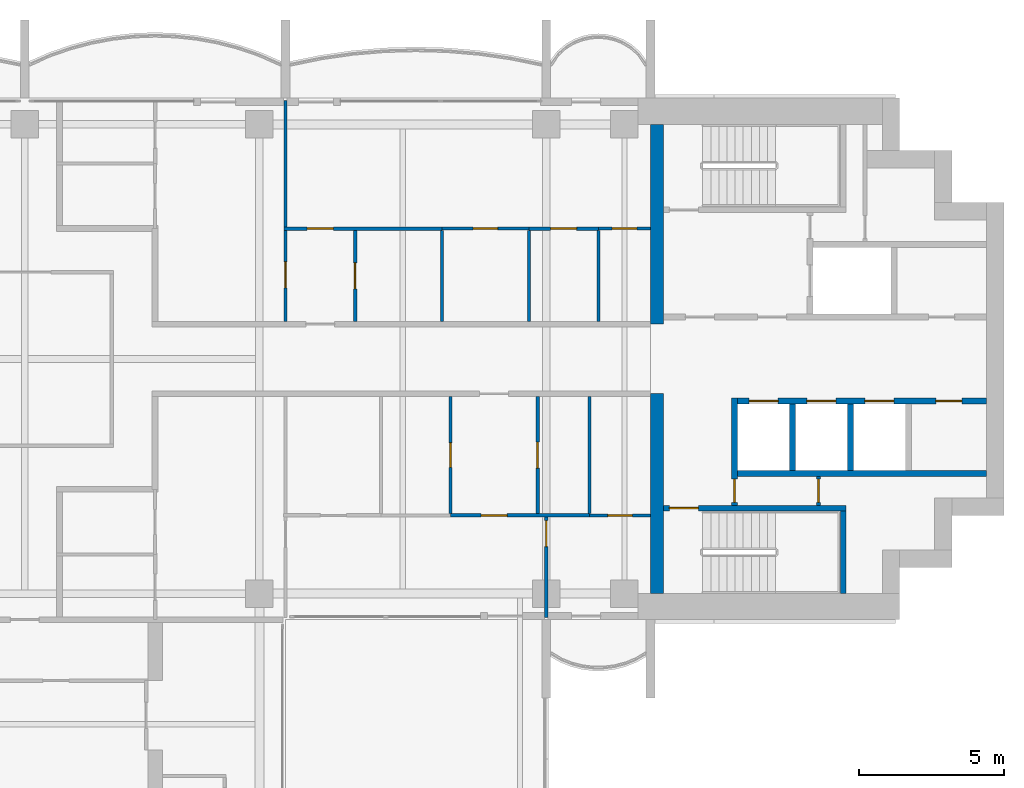
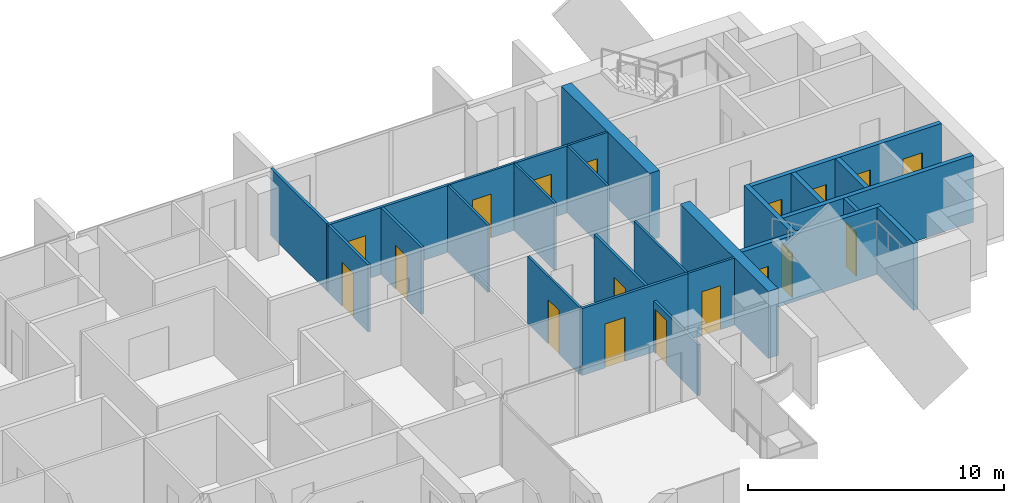
# One storey, part 12 of 18: 25 walls, 18 doors, 18 openings.
"""IFC4 building model written with IfcOpenShell, lengths in metres."""

from ifc_helpers import new_model, si_unit, direction, frame, frame_2d, origin, place, context, subcontext, project, spatial, rectangle, extrude, material, layer, layer_set, type_object, element, fill, save


model = new_model("IFC4")

# Units and contexts
model_context = context("Model", 3, precision=1e-05, world=origin(), true_north=direction((0.0, 1.0)))
body_context = subcontext(model_context, "Body", "Model", "MODEL_VIEW")
ifc_project = project(units=[si_unit("LENGTHUNIT", "METRE"), si_unit("AREAUNIT", "SQUARE_METRE"), si_unit("VOLUMEUNIT", "CUBIC_METRE"), si_unit("PLANEANGLEUNIT", "RADIAN"), si_unit("MASSUNIT", "GRAM", prefix="KILO")], contexts=[model_context])

# Site, building, storey
site_placement = place(None, origin())
site = spatial("IfcSite", under=ifc_project, at=site_placement, CompositionType="ELEMENT")
building_placement = place(site_placement, origin())
building = spatial("IfcBuilding", under=site, at=building_placement, Name="Perihelion Cross Residences", CompositionType="ELEMENT")
storey_placement = place(building_placement, frame((0.0, 0.0, 219.10009765625)))
storey = spatial("IfcBuildingStorey", under=building, at=storey_placement, Name="L55", CompositionType="ELEMENT", Elevation=219.10009765625)

# Walls
ifc_material_1 = material(Name="Concrete C60/75", Category="concrete")
ifc_layer_1 = layer(ifc_material_1, 0.449951171875)
ifc_layer_set_1 = layer_set([ifc_layer_1], Name="Core wall, inner 450")
wall_type_1 = type_object("IfcWallType", Name="Core wall, inner 450", PredefinedType="SHEAR", material=ifc_layer_set_1)
for number, where, z_axis, x_axis, name in (
    (1, (21.824951171875, -8.10009765625, 0.0), (0.0, 0.0, 1.0), (0.0, 1.0, 0.0), "East core core wall, inner"),
    (2, (21.824951171875, 1.199951171875, 0.0), (0.0, 0.0, 1.0), (0.0, 1.0, 0.0), "East core core wall, inner"),
):
    element("IfcWall", number, at=place(storey_placement, frame(where, z_axis=z_axis, x_axis=x_axis)), inside=storey, type_object=wall_type_1, Name=name, PredefinedType="SHEAR", context=body_context, shape_type="SweptSolid", body=[
        extrude(rectangle(XDim=6.900146484375, YDim=0.449951171875, at=frame_2d((3.4501953125, 0.0))), origin(), (0.0, 0.0, 1.0), 3.199951171875),
    ])

# Wall, opening, door
ifc_material_2 = material(Name="Concrete C50/60", Category="concrete")
ifc_layer_2 = layer(ifc_material_2, 0.199951171875)
ifc_layer_set_2 = layer_set([ifc_layer_2], Name="Lobby wall 200")
wall_type_2 = type_object("IfcWallType", Name="Lobby wall 200", PredefinedType="SOLIDWALL", material=ifc_layer_set_2)
wall_1_placement = place(storey_placement, frame((24.5, -5.050048828125, 0.0), z_axis=(0.0, 0.0, 1.0), x_axis=(0.0, 1.0, 0.0)))
wall_1 = element("IfcWall", 3, at=wall_1_placement, inside=storey, type_object=wall_type_2, Name="East core lobby wall", PredefinedType="SOLIDWALL", context=body_context, shape_type="SweptSolid", body=[
    extrude(rectangle(XDim=3.699951171875, YDim=0.199951171875, at=frame_2d((1.85009765625, 0.0))), origin(), (0.0, 0.0, 1.0), 3.199951171875),
])
opening_1_placement = place(wall_1_placement, frame((0.10009765625, 0.0, 0.0)))
opening_1 = element("IfcOpeningElement", 4, at=opening_1_placement, cuts=wall_1, Name="Opening L55.C08", PredefinedType="OPENING", context=body_context, shape_type="SweptSolid", body=[
    extrude(rectangle(XDim=0.800048828125, YDim=2.10009765625, at=frame_2d((0.39990234375, 1.050048828125))), frame((0.0, 0.10986328125, 0.0), z_axis=(0.0, -1.0, 0.0), x_axis=(1.0, 0.0, 0.0)), (0.0, 0.0, 1.0), 0.219970703125),
])
ifc_material_3 = material(Name="Steel, powder coated", Category="steel")
door_type_1 = type_object("IfcDoorType", Name="Riser door 800", OperationType="SINGLE_SWING_LEFT", PredefinedType="DOOR", material=ifc_material_3)
door_1_placement = place(opening_1_placement, origin())
door_1 = element("IfcDoor", 5, at=door_1_placement, inside=storey, type_object=door_type_1, Name="East core riser door", OperationType="SINGLE_SWING_LEFT", OverallHeight=2.10009765625, OverallWidth=0.800048828125, PredefinedType="DOOR", context=body_context, shape_type="SweptSolid", body=[
    extrude(rectangle(XDim=0.800048828125, YDim=2.10009765625, at=frame_2d((0.39990234375, 1.050048828125))), frame((0.0, 0.02490234375, 0.0), z_axis=(0.0, -1.0, 0.0), x_axis=(1.0, 0.0, 0.0)), (0.0, 0.0, 1.0), 0.050048828125),
])
fill(opening_1, door_1)

ifc_material_4 = material(Name="Plasterboard partition")
ifc_layer_3 = layer(ifc_material_4, 0.1201171875)
ifc_layer_set_3 = layer_set([ifc_layer_3], Name="Partition wall 120")
wall_type_3 = type_object("IfcWallType", Name="Partition wall 120", PredefinedType="PARTITIONING", material=ifc_layer_set_3)
wall_2_placement = place(storey_placement, frame((11.39990234375, 4.43994140625, 0.0), z_axis=(0.0, 0.0, 1.0), x_axis=(0.0, -1.0, 0.0)))
wall_2 = element("IfcWall", 6, at=wall_2_placement, inside=storey, type_object=wall_type_3, Name="Partition L55 W022", PredefinedType="PARTITIONING", context=body_context, shape_type="SweptSolid", body=[
    extrude(rectangle(XDim=3.139892578125, YDim=0.1201171875, at=frame_2d((1.56982421875, 0.0))), origin(), (0.0, 0.0, 1.0), 3.199951171875),
])
opening_2_placement = place(wall_2_placement, frame((1.1201171875, 0.0, 0.0)))
opening_2 = element("IfcOpeningElement", 7, at=opening_2_placement, cuts=wall_2, Name="Opening L55.A03", PredefinedType="OPENING", context=body_context, shape_type="SweptSolid", body=[
    extrude(rectangle(XDim=0.89990234375, YDim=2.10009765625, at=frame_2d((0.449951171875, 1.050048828125))), frame((0.0, 0.070068359375, 0.0), z_axis=(0.0, -1.0, 0.0), x_axis=(1.0, 0.0, 0.0)), (0.0, 0.0, 1.0), 0.14013671875),
])
ifc_material_5 = material(Name="Timber door leaf", Category="wood")
door_type_2 = type_object("IfcDoorType", Name="Interior room door 900 x 2100", OperationType="SINGLE_SWING_LEFT", PredefinedType="DOOR", material=ifc_material_5)
door_2_placement = place(opening_2_placement, origin())
door_2 = element("IfcDoor", 8, at=door_2_placement, inside=storey, type_object=door_type_2, Name="Door L55.A03", OperationType="SINGLE_SWING_RIGHT", OverallHeight=2.10009765625, OverallWidth=0.89990234375, PredefinedType="DOOR", context=body_context, shape_type="SweptSolid", body=[
    extrude(rectangle(XDim=0.89990234375, YDim=2.10009765625, at=frame_2d((0.449951171875, 1.050048828125))), frame((0.0, 0.02490234375, 0.0), z_axis=(0.0, -1.0, 0.0), x_axis=(1.0, 0.0, 0.0)), (0.0, 0.0, 1.0), 0.050048828125),
])
fill(opening_2, door_2)

wall_3_placement = place(storey_placement, frame((8.93994140625, 4.5, 0.0), z_axis=(0.0, 0.0, 1.0), x_axis=(1.0, 0.0, 0.0)))
wall_3 = element("IfcWall", 9, at=wall_3_placement, inside=storey, type_object=wall_type_3, Name="Partition L55 W023", PredefinedType="PARTITIONING", context=body_context, shape_type="SweptSolid", body=[
    extrude(rectangle(XDim=5.4599609375, YDim=0.1201171875, at=frame_2d((2.72998046875, 0.0))), origin(), (0.0, 0.0, 1.0), 3.199951171875),
])
opening_3_placement = place(wall_3_placement, frame((0.81005859375, 0.0, 0.0)))
opening_3 = element("IfcOpeningElement", 10, at=opening_3_placement, cuts=wall_3, Name="Opening L55.A08", PredefinedType="OPENING", context=body_context, shape_type="SweptSolid", body=[
    extrude(rectangle(XDim=0.89990234375, YDim=2.10009765625, at=frame_2d((0.449951171875, 1.050048828125))), frame((0.0, 0.070068359375, 0.0), z_axis=(0.0, -1.0, 0.0), x_axis=(1.0, 0.0, 0.0)), (0.0, 0.0, 1.0), 0.14013671875),
])
door_3_placement = place(opening_3_placement, origin())
door_3 = element("IfcDoor", 11, at=door_3_placement, inside=storey, type_object=door_type_2, Name="Door L55.A08", OperationType="SINGLE_SWING_RIGHT", OverallHeight=2.10009765625, OverallWidth=0.89990234375, PredefinedType="DOOR", context=body_context, shape_type="SweptSolid", body=[
    extrude(rectangle(XDim=0.89990234375, YDim=2.10009765625, at=frame_2d((0.449951171875, 1.050048828125))), frame((0.0, 0.02490234375, 0.0), z_axis=(0.0, -1.0, 0.0), x_axis=(1.0, 0.0, 0.0)), (0.0, 0.0, 1.0), 0.050048828125),
])
fill(opening_3, door_3)

wall_4_placement = place(storey_placement, frame((9.0, 1.300048828125, 0.0), z_axis=(0.0, 0.0, 1.0), x_axis=(0.0, 1.0, 0.0)))
wall_4 = element("IfcWall", 12, at=wall_4_placement, inside=storey, type_object=wall_type_3, Name="Partition L55 W024", PredefinedType="PARTITIONING", context=body_context, shape_type="SweptSolid", body=[
    extrude(rectangle(XDim=7.619873046875, YDim=0.1201171875, at=frame_2d((3.81005859375, 0.0))), origin(), (0.0, 0.0, 1.0), 3.199951171875),
])
opening_4_placement = place(wall_4_placement, frame((1.14990234375, 0.0, 0.0)))
opening_4 = element("IfcOpeningElement", 13, at=opening_4_placement, cuts=wall_4, Name="Opening L55.A05", PredefinedType="OPENING", context=body_context, shape_type="SweptSolid", body=[
    extrude(rectangle(XDim=0.89990234375, YDim=2.10009765625, at=frame_2d((0.449951171875, 1.050048828125))), frame((0.0, 0.070068359375, 0.0), z_axis=(0.0, -1.0, 0.0), x_axis=(1.0, 0.0, 0.0)), (0.0, 0.0, 1.0), 0.14013671875),
])
door_4_placement = place(opening_4_placement, origin())
door_4 = element("IfcDoor", 14, at=door_4_placement, inside=storey, type_object=door_type_2, Name="Door L55.A05", OperationType="SINGLE_SWING_LEFT", OverallHeight=2.10009765625, OverallWidth=0.89990234375, PredefinedType="DOOR", context=body_context, shape_type="SweptSolid", body=[
    extrude(rectangle(XDim=0.89990234375, YDim=2.10009765625, at=frame_2d((0.449951171875, 1.050048828125))), frame((0.0, 0.02490234375, 0.0), z_axis=(0.0, -1.0, 0.0), x_axis=(1.0, 0.0, 0.0)), (0.0, 0.0, 1.0), 0.050048828125),
])
fill(opening_4, door_4)

wall_5_placement = place(storey_placement, frame((17.39990234375, 4.5, 0.0), z_axis=(0.0, 0.0, 1.0), x_axis=(1.0, 0.0, 0.0)))
wall_5 = element("IfcWall", 15, at=wall_5_placement, inside=storey, type_object=wall_type_3, Name="Partition L55 W029", PredefinedType="PARTITIONING", context=body_context, shape_type="SweptSolid", body=[
    extrude(rectangle(XDim=2.400146484375, YDim=0.1201171875, at=frame_2d((1.2001953125, 0.0))), origin(), (0.0, 0.0, 1.0), 3.199951171875),
])
opening_5_placement = place(wall_5_placement, frame((0.75, 0.0, 0.0)))
opening_5 = element("IfcOpeningElement", 16, at=opening_5_placement, cuts=wall_5, Name="Opening L55.A09", PredefinedType="OPENING", context=body_context, shape_type="SweptSolid", body=[
    extrude(rectangle(XDim=0.89990234375, YDim=2.10009765625, at=frame_2d((0.449951171875, 1.050048828125))), frame((0.0, 0.070068359375, 0.0), z_axis=(0.0, -1.0, 0.0), x_axis=(1.0, 0.0, 0.0)), (0.0, 0.0, 1.0), 0.14013671875),
])
door_5_placement = place(opening_5_placement, origin())
door_5 = element("IfcDoor", 17, at=door_5_placement, inside=storey, type_object=door_type_2, Name="Door L55.A09", OperationType="SINGLE_SWING_RIGHT", OverallHeight=2.10009765625, OverallWidth=0.89990234375, PredefinedType="DOOR", context=body_context, shape_type="SweptSolid", body=[
    extrude(rectangle(XDim=0.89990234375, YDim=2.10009765625, at=frame_2d((0.449951171875, 1.050048828125))), frame((0.0, 0.02490234375, 0.0), z_axis=(0.0, -1.0, 0.0), x_axis=(1.0, 0.0, 0.0)), (0.0, 0.0, 1.0), 0.050048828125),
])
fill(opening_5, door_5)

wall_6_placement = place(storey_placement, frame((17.699951171875, -1.300048828125, 0.0), z_axis=(0.0, 0.0, 1.0), x_axis=(0.0, -1.0, 0.0)))
wall_6 = element("IfcWall", 18, at=wall_6_placement, inside=storey, type_object=wall_type_3, Name="Partition L55 W039", PredefinedType="PARTITIONING", context=body_context, shape_type="SweptSolid", body=[
    extrude(rectangle(XDim=4.0400390625, YDim=0.1201171875, at=frame_2d((2.02001953125, 0.0))), origin(), (0.0, 0.0, 1.0), 3.199951171875),
])
opening_6_placement = place(wall_6_placement, frame((1.570068359375, 0.0, 0.0)))
opening_6 = element("IfcOpeningElement", 19, at=opening_6_placement, cuts=wall_6, Name="Opening L55.A16", PredefinedType="OPENING", context=body_context, shape_type="SweptSolid", body=[
    extrude(rectangle(XDim=0.89990234375, YDim=2.10009765625, at=frame_2d((0.449951171875, 1.050048828125))), frame((0.0, 0.070068359375, 0.0), z_axis=(0.0, -1.0, 0.0), x_axis=(1.0, 0.0, 0.0)), (0.0, 0.0, 1.0), 0.14013671875),
])
door_6_placement = place(opening_6_placement, origin())
door_6 = element("IfcDoor", 20, at=door_6_placement, inside=storey, type_object=door_type_2, Name="Door L55.A16", OperationType="SINGLE_SWING_RIGHT", OverallHeight=2.10009765625, OverallWidth=0.89990234375, PredefinedType="DOOR", context=body_context, shape_type="SweptSolid", body=[
    extrude(rectangle(XDim=0.89990234375, YDim=2.10009765625, at=frame_2d((0.449951171875, 1.050048828125))), frame((0.0, 0.02490234375, 0.0), z_axis=(0.0, -1.0, 0.0), x_axis=(1.0, 0.0, 0.0)), (0.0, 0.0, 1.0), 0.050048828125),
])
fill(opening_6, door_6)

wall_7_placement = place(storey_placement, frame((19.5, -5.39990234375, 0.0), z_axis=(0.0, 0.0, 1.0), x_axis=(-1.0, 0.0, 0.0)))
wall_7 = element("IfcWall", 21, at=wall_7_placement, inside=storey, type_object=wall_type_3, Name="Partition L55 W040", PredefinedType="PARTITIONING", context=body_context, shape_type="SweptSolid", body=[
    extrude(rectangle(XDim=4.800048828125, YDim=0.1201171875, at=frame_2d((2.39990234375, 0.0))), origin(), (0.0, 0.0, 1.0), 3.199951171875),
])
opening_7_placement = place(wall_7_placement, frame((2.85009765625, 0.0, 0.0)))
opening_7 = element("IfcOpeningElement", 22, at=opening_7_placement, cuts=wall_7, Name="Opening L55.A15", PredefinedType="OPENING", context=body_context, shape_type="SweptSolid", body=[
    extrude(rectangle(XDim=0.89990234375, YDim=2.10009765625, at=frame_2d((0.449951171875, 1.050048828125))), frame((0.0, 0.070068359375, 0.0), z_axis=(0.0, -1.0, 0.0), x_axis=(1.0, 0.0, 0.0)), (0.0, 0.0, 1.0), 0.14013671875),
])
door_7_placement = place(opening_7_placement, origin())
door_7 = element("IfcDoor", 23, at=door_7_placement, inside=storey, type_object=door_type_2, Name="Door L55.A15", OperationType="SINGLE_SWING_LEFT", OverallHeight=2.10009765625, OverallWidth=0.89990234375, PredefinedType="DOOR", context=body_context, shape_type="SweptSolid", body=[
    extrude(rectangle(XDim=0.89990234375, YDim=2.10009765625, at=frame_2d((0.449951171875, 1.050048828125))), frame((0.0, 0.02490234375, 0.0), z_axis=(0.0, -1.0, 0.0), x_axis=(1.0, 0.0, 0.0)), (0.0, 0.0, 1.0), 0.050048828125),
])
fill(opening_7, door_7)

wall_8_placement = place(storey_placement, frame((18.0, -5.4599609375, 0.0), z_axis=(0.0, 0.0, 1.0), x_axis=(0.0, -1.0, 0.0)))
wall_8 = element("IfcWall", 24, at=wall_8_placement, inside=storey, type_object=wall_type_3, Name="Partition L55 W043", PredefinedType="PARTITIONING", context=body_context, shape_type="SweptSolid", body=[
    extrude(rectangle(XDim=3.4599609375, YDim=0.1201171875, at=frame_2d((1.72998046875, 0.0))), origin(), (0.0, 0.0, 1.0), 2.429931640625),
])
opening_8_placement = place(wall_8_placement, frame((0.1201171875, 0.0, 0.0)))
opening_8 = element("IfcOpeningElement", 25, at=opening_8_placement, cuts=wall_8, Name="Opening L55.A10", PredefinedType="OPENING", context=body_context, shape_type="SweptSolid", body=[
    extrude(rectangle(XDim=0.89990234375, YDim=2.10009765625, at=frame_2d((0.449951171875, 1.050048828125))), frame((0.0, 0.070068359375, 0.0), z_axis=(0.0, -1.0, 0.0), x_axis=(1.0, 0.0, 0.0)), (0.0, 0.0, 1.0), 0.14013671875),
])
door_8_placement = place(opening_8_placement, origin())
door_8 = element("IfcDoor", 26, at=door_8_placement, inside=storey, type_object=door_type_2, Name="Door L55.A10", OperationType="SINGLE_SWING_LEFT", OverallHeight=2.10009765625, OverallWidth=0.89990234375, PredefinedType="DOOR", context=body_context, shape_type="SweptSolid", body=[
    extrude(rectangle(XDim=0.89990234375, YDim=2.10009765625, at=frame_2d((0.449951171875, 1.050048828125))), frame((0.0, 0.02490234375, 0.0), z_axis=(0.0, -1.0, 0.0), x_axis=(1.0, 0.0, 0.0)), (0.0, 0.0, 1.0), 0.050048828125),
])
fill(opening_8, door_8)

ifc_material_6 = material(Name="Fire-rated board on steel stud", Category="steel")
ifc_layer_4 = layer(ifc_material_6, 0.14990234375)
ifc_layer_set_4 = layer_set([ifc_layer_4], Name="Riser wall 150")
wall_type_4 = type_object("IfcWallType", Name="Riser wall 150", PredefinedType="PARTITIONING", material=ifc_layer_set_4)
wall_9_placement = place(storey_placement, frame((27.39990234375, -5.050048828125, 0.0), z_axis=(0.0, 0.0, 1.0), x_axis=(0.0, 1.0, 0.0)))
wall_9 = element("IfcWall", 27, at=wall_9_placement, inside=storey, type_object=wall_type_4, Name="East core riser wall", PredefinedType="PARTITIONING", context=body_context, shape_type="SweptSolid", body=[
    extrude(rectangle(XDim=1.0, YDim=0.14990234375, at=frame_2d((0.5, 0.0))), origin(), (0.0, 0.0, 1.0), 3.199951171875),
])
opening_9_placement = place(wall_9_placement, frame((0.10009765625, 0.0, 0.0)))
opening_9 = element("IfcOpeningElement", 28, at=opening_9_placement, cuts=wall_9, Name="Opening L55.C11", PredefinedType="OPENING", context=body_context, shape_type="SweptSolid", body=[
    extrude(rectangle(XDim=0.800048828125, YDim=2.10009765625, at=frame_2d((0.39990234375, 1.050048828125))), frame((0.0, 0.0849609375, 0.0), z_axis=(0.0, -1.0, 0.0), x_axis=(1.0, 0.0, 0.0)), (0.0, 0.0, 1.0), 0.169921875),
])
door_9_placement = place(opening_9_placement, origin())
door_9 = element("IfcDoor", 29, at=door_9_placement, inside=storey, type_object=door_type_1, Name="East core riser door", OperationType="SINGLE_SWING_LEFT", OverallHeight=2.10009765625, OverallWidth=0.800048828125, PredefinedType="DOOR", context=body_context, shape_type="SweptSolid", body=[
    extrude(rectangle(XDim=0.800048828125, YDim=2.10009765625, at=frame_2d((0.39990234375, 1.050048828125))), frame((0.0, 0.02490234375, 0.0), z_axis=(0.0, -1.0, 0.0), x_axis=(1.0, 0.0, 0.0)), (0.0, 0.0, 1.0), 0.050048828125),
])
fill(opening_9, door_9)

# Wall, openings, doors
ifc_material_7 = material(Name="Concrete C50/60", Category="concrete")
ifc_layer_5 = layer(ifc_material_7, 0.199951171875)
ifc_layer_set_5 = layer_set([ifc_layer_5], Name="Shaft wall 200")
wall_type_5 = type_object("IfcWallType", Name="Shaft wall 200", PredefinedType="SOLIDWALL", material=ifc_layer_set_5)
wall_10_placement = place(storey_placement, frame((24.60009765625, -1.449951171875, 0.0), z_axis=(0.0, 0.0, 1.0), x_axis=(1.0, 0.0, 0.0)))
wall_10 = element("IfcWall", 30, at=wall_10_placement, inside=storey, type_object=wall_type_5, Name="East core shaft wall", PredefinedType="SOLIDWALL", context=body_context, shape_type="SweptSolid", body=[
    extrude(rectangle(XDim=8.599853515625, YDim=0.199951171875, at=frame_2d((4.2998046875, 0.0))), origin(), (0.0, 0.0, 1.0), 3.199951171875),
])
opening_10_placement = place(wall_10_placement, frame((0.39990234375, 0.0, 0.0)))
opening_10 = element("IfcOpeningElement", 31, at=opening_10_placement, cuts=wall_10, Name="Opening L55.C01", PredefinedType="OPENING", context=body_context, shape_type="SweptSolid", body=[
    extrude(rectangle(XDim=1.0, YDim=2.10009765625, at=frame_2d((0.5, 1.050048828125))), frame((0.0, 0.10986328125, 0.0), z_axis=(0.0, -1.0, 0.0), x_axis=(1.0, 0.0, 0.0)), (0.0, 0.0, 1.0), 0.219970703125),
])
opening_11_placement = place(wall_10_placement, frame((2.39990234375, 0.0, 0.0)))
opening_11 = element("IfcOpeningElement", 32, at=opening_11_placement, cuts=wall_10, Name="Opening L55.C03", PredefinedType="OPENING", context=body_context, shape_type="SweptSolid", body=[
    extrude(rectangle(XDim=1.0, YDim=2.10009765625, at=frame_2d((0.5, 1.050048828125))), frame((0.0, 0.10986328125, 0.0), z_axis=(0.0, -1.0, 0.0), x_axis=(1.0, 0.0, 0.0)), (0.0, 0.0, 1.0), 0.219970703125),
])
opening_12_placement = place(wall_10_placement, frame((4.39990234375, 0.0, 0.0)))
opening_12 = element("IfcOpeningElement", 33, at=opening_12_placement, cuts=wall_10, Name="Opening L55.C04", PredefinedType="OPENING", context=body_context, shape_type="SweptSolid", body=[
    extrude(rectangle(XDim=1.0, YDim=2.10009765625, at=frame_2d((0.5, 1.050048828125))), frame((0.0, 0.10986328125, 0.0), z_axis=(0.0, -1.0, 0.0), x_axis=(1.0, 0.0, 0.0)), (0.0, 0.0, 1.0), 0.219970703125),
])
opening_13_placement = place(wall_10_placement, frame((6.85009765625, 0.0, 0.0)))
opening_13 = element("IfcOpeningElement", 34, at=opening_13_placement, cuts=wall_10, Name="Opening L55.C14", PredefinedType="OPENING", context=body_context, shape_type="SweptSolid", body=[
    extrude(rectangle(XDim=0.89990234375, YDim=2.10009765625, at=frame_2d((0.449951171875, 1.050048828125))), frame((0.0, 0.10986328125, 0.0), z_axis=(0.0, -1.0, 0.0), x_axis=(1.0, 0.0, 0.0)), (0.0, 0.0, 1.0), 0.219970703125),
])
ifc_material_8 = material(Name="Stainless steel", Category="steel")
door_type_3 = type_object("IfcDoorType", Name="Landing door 1000", OperationType="DOUBLE_DOOR_SLIDING", PredefinedType="DOOR", material=ifc_material_8)
door_10_placement = place(opening_10_placement, origin())
door_10 = element("IfcDoor", 35, at=door_10_placement, inside=storey, type_object=door_type_3, Name="Landing door, East core high-rise lift 1", OperationType="DOUBLE_DOOR_SLIDING", OverallHeight=2.10009765625, OverallWidth=1.0, PredefinedType="DOOR", context=body_context, shape_type="SweptSolid", body=[
    extrude(rectangle(XDim=1.0, YDim=2.10009765625, at=frame_2d((0.5, 1.050048828125))), frame((0.0, 0.02490234375, 0.0), z_axis=(0.0, -1.0, 0.0), x_axis=(1.0, 0.0, 0.0)), (0.0, 0.0, 1.0), 0.050048828125),
])
fill(opening_10, door_10)
door_11_placement = place(opening_11_placement, origin())
door_11 = element("IfcDoor", 36, at=door_11_placement, inside=storey, type_object=door_type_3, Name="Landing door, East core high-rise lift 2", OperationType="DOUBLE_DOOR_SLIDING", OverallHeight=2.10009765625, OverallWidth=1.0, PredefinedType="DOOR", context=body_context, shape_type="SweptSolid", body=[
    extrude(rectangle(XDim=1.0, YDim=2.10009765625, at=frame_2d((0.5, 1.050048828125))), frame((0.0, 0.02490234375, 0.0), z_axis=(0.0, -1.0, 0.0), x_axis=(1.0, 0.0, 0.0)), (0.0, 0.0, 1.0), 0.050048828125),
])
fill(opening_11, door_11)
door_12_placement = place(opening_12_placement, origin())
door_12 = element("IfcDoor", 37, at=door_12_placement, inside=storey, type_object=door_type_3, Name="Landing door, East core high-rise lift 3", OperationType="DOUBLE_DOOR_SLIDING", OverallHeight=2.10009765625, OverallWidth=1.0, PredefinedType="DOOR", context=body_context, shape_type="SweptSolid", body=[
    extrude(rectangle(XDim=1.0, YDim=2.10009765625, at=frame_2d((0.5, 1.050048828125))), frame((0.0, 0.02490234375, 0.0), z_axis=(0.0, -1.0, 0.0), x_axis=(1.0, 0.0, 0.0)), (0.0, 0.0, 1.0), 0.050048828125),
])
fill(opening_12, door_12)
ifc_material_9 = material(Name="Steel, powder coated", Category="steel")
door_type_4 = type_object("IfcDoorType", Name="Service room door 900", OperationType="SINGLE_SWING_LEFT", PredefinedType="DOOR", material=ifc_material_9)
door_13_placement = place(opening_13_placement, origin())
door_13 = element("IfcDoor", 38, at=door_13_placement, inside=storey, type_object=door_type_4, Name="East core service room door", OperationType="SINGLE_SWING_LEFT", OverallHeight=2.10009765625, OverallWidth=0.89990234375, PredefinedType="DOOR", context=body_context, shape_type="SweptSolid", body=[
    extrude(rectangle(XDim=0.89990234375, YDim=2.10009765625, at=frame_2d((0.449951171875, 1.050048828125))), frame((0.0, 0.02490234375, 0.0), z_axis=(0.0, -1.0, 0.0), x_axis=(1.0, 0.0, 0.0)), (0.0, 0.0, 1.0), 0.050048828125),
])
fill(opening_13, door_13)

# Walls
wall_11_placement = place(storey_placement, frame((24.60009765625, -3.949951171875, 0.0), z_axis=(0.0, 0.0, 1.0), x_axis=(1.0, 0.0, 0.0)))
element("IfcWall", 39, at=wall_11_placement, inside=storey, type_object=wall_type_5, Name="East core shaft wall", PredefinedType="SOLIDWALL", context=body_context, shape_type="SweptSolid", body=[
    extrude(rectangle(XDim=8.599853515625, YDim=0.199951171875, at=frame_2d((4.2998046875, 0.0))), origin(), (0.0, 0.0, 1.0), 3.199951171875),
])
for number, where, z_axis, x_axis, name in (
    (40, (26.5, -3.85009765625, 0.0), (0.0, 0.0, 1.0), (0.0, 1.0, 0.0), "East core shaft wall"),
    (41, (28.5, -3.85009765625, 0.0), (0.0, 0.0, 1.0), (0.0, 1.0, 0.0), "East core shaft wall"),
):
    element("IfcWall", number, at=place(storey_placement, frame(where, z_axis=z_axis, x_axis=x_axis)), inside=storey, type_object=wall_type_5, Name=name, PredefinedType="SOLIDWALL", context=body_context, shape_type="SweptSolid", body=[
        extrude(rectangle(XDim=2.300048828125, YDim=0.199951171875, at=frame_2d((1.14990234375, 0.0))), origin(), (0.0, 0.0, 1.0), 3.199951171875),
    ])

# Wall, opening, door
ifc_material_10 = material(Name="Concrete C50/60", Category="concrete")
ifc_layer_6 = layer(ifc_material_10, 0.199951171875)
ifc_layer_set_6 = layer_set([ifc_layer_6], Name="Stair wall 200")
wall_type_6 = type_object("IfcWallType", Name="Stair wall 200", PredefinedType="SOLIDWALL", material=ifc_layer_set_6)
wall_12_placement = place(storey_placement, frame((22.050048828125, -5.14990234375, 0.0), z_axis=(0.0, 0.0, 1.0), x_axis=(1.0, 0.0, 0.0)))
wall_12 = element("IfcWall", 42, at=wall_12_placement, inside=storey, type_object=wall_type_6, Name="East core stair wall", PredefinedType="SOLIDWALL", context=body_context, shape_type="SweptSolid", body=[
    extrude(rectangle(XDim=6.300048828125, YDim=0.199951171875, at=frame_2d((3.14990234375, 0.0))), origin(), (0.0, 0.0, 1.0), 3.199951171875),
])
opening_14_placement = place(wall_12_placement, frame((0.199951171875, 0.0, 0.0)))
opening_14 = element("IfcOpeningElement", 43, at=opening_14_placement, cuts=wall_12, Name="Opening L55.C05", PredefinedType="OPENING", context=body_context, shape_type="SweptSolid", body=[
    extrude(rectangle(XDim=1.0, YDim=2.10009765625, at=frame_2d((0.5, 1.050048828125))), frame((0.0, 0.10986328125, 0.0), z_axis=(0.0, -1.0, 0.0), x_axis=(1.0, 0.0, 0.0)), (0.0, 0.0, 1.0), 0.219970703125),
])
ifc_material_11 = material(Name="Steel, powder coated", Category="steel")
door_type_5 = type_object("IfcDoorType", Name="Stair door 1000", OperationType="SINGLE_SWING_LEFT", PredefinedType="DOOR", material=ifc_material_11)
door_14_placement = place(opening_14_placement, origin())
door_14 = element("IfcDoor", 44, at=door_14_placement, inside=storey, type_object=door_type_5, Name="East core stair door", OperationType="SINGLE_SWING_LEFT", OverallHeight=2.10009765625, OverallWidth=1.0, PredefinedType="DOOR", context=body_context, shape_type="SweptSolid", body=[
    extrude(rectangle(XDim=1.0, YDim=2.10009765625, at=frame_2d((0.5, 1.050048828125))), frame((0.0, 0.02490234375, 0.0), z_axis=(0.0, -1.0, 0.0), x_axis=(1.0, 0.0, 0.0)), (0.0, 0.0, 1.0), 0.050048828125),
])
fill(opening_14, door_14)

# Walls
wall_13_placement = place(storey_placement, frame((28.25, -8.10009765625, 0.0), z_axis=(0.0, 0.0, 1.0), x_axis=(0.0, 1.0, 0.0)))
element("IfcWall", 45, at=wall_13_placement, inside=storey, type_object=wall_type_6, Name="East core stair wall", PredefinedType="SOLIDWALL", context=body_context, shape_type="SweptSolid", body=[
    extrude(rectangle(XDim=2.85009765625, YDim=0.199951171875, at=frame_2d((1.425048828125, 0.0))), origin(), (0.0, 0.0, 1.0), 3.199951171875),
])
ifc_material_12 = material(Name="Plasterboard partition")
ifc_layer_7 = layer(ifc_material_12, 0.10009765625)
ifc_layer_set_7 = layer_set([ifc_layer_7], Name="Wet room wall 100")
wall_type_7 = type_object("IfcWallType", Name="Wet room wall 100", PredefinedType="PARTITIONING", material=ifc_layer_set_7)
for number, where, z_axis, x_axis, name in (
    (46, (14.39990234375, 4.43994140625, 0.0), (0.0, 0.0, 1.0), (0.0, -1.0, 0.0), "Partition L55 W025"),
    (47, (17.39990234375, 4.43994140625, 0.0), (0.0, 0.0, 1.0), (0.0, -1.0, 0.0), "Partition L55 W026"),
):
    element("IfcWall", number, at=place(storey_placement, frame(where, z_axis=z_axis, x_axis=x_axis)), inside=storey, type_object=wall_type_7, Name=name, PredefinedType="PARTITIONING", context=body_context, shape_type="SweptSolid", body=[
        extrude(rectangle(XDim=3.139892578125, YDim=0.10009765625, at=frame_2d((1.56982421875, 0.0))), origin(), (0.0, 0.0, 1.0), 3.199951171875),
    ])

# Wall, opening, door
wall_14_placement = place(storey_placement, frame((14.39990234375, 4.5, 0.0), z_axis=(0.0, 0.0, 1.0), x_axis=(1.0, 0.0, 0.0)))
wall_14 = element("IfcWall", 48, at=wall_14_placement, inside=storey, type_object=wall_type_7, Name="Partition L55 W027", PredefinedType="PARTITIONING", context=body_context, shape_type="SweptSolid", body=[
    extrude(rectangle(XDim=3.0, YDim=0.10009765625, at=frame_2d((1.5, 0.0))), origin(), (0.0, 0.0, 1.0), 3.199951171875),
])
opening_15_placement = place(wall_14_placement, frame((1.074951171875, 0.0, 0.0)))
opening_15 = element("IfcOpeningElement", 49, at=opening_15_placement, cuts=wall_14, Name="Opening L55.A02", PredefinedType="OPENING", context=body_context, shape_type="SweptSolid", body=[
    extrude(rectangle(XDim=0.85009765625, YDim=2.10009765625, at=frame_2d((0.425048828125, 1.050048828125))), frame((0.0, 0.06005859375, 0.0), z_axis=(0.0, -1.0, 0.0), x_axis=(1.0, 0.0, 0.0)), (0.0, 0.0, 1.0), 0.1201171875),
])
ifc_material_13 = material(Name="Timber door leaf", Category="wood")
door_type_6 = type_object("IfcDoorType", Name="Interior bathroom door 850 x 2100", OperationType="SINGLE_SWING_LEFT", PredefinedType="DOOR", material=ifc_material_13)
door_15_placement = place(opening_15_placement, origin())
door_15 = element("IfcDoor", 50, at=door_15_placement, inside=storey, type_object=door_type_6, Name="Door L55.A02", OperationType="SINGLE_SWING_LEFT", OverallHeight=2.10009765625, OverallWidth=0.85009765625, PredefinedType="DOOR", context=body_context, shape_type="SweptSolid", body=[
    extrude(rectangle(XDim=0.85009765625, YDim=2.10009765625, at=frame_2d((0.425048828125, 1.050048828125))), frame((0.0, 0.02490234375, 0.0), z_axis=(0.0, -1.0, 0.0), x_axis=(1.0, 0.0, 0.0)), (0.0, 0.0, 1.0), 0.050048828125),
])
fill(opening_15, door_15)

# Wall
wall_15_placement = place(storey_placement, frame((19.800048828125, 4.43994140625, 0.0), z_axis=(0.0, 0.0, 1.0), x_axis=(0.0, -1.0, 0.0)))
element("IfcWall", 51, at=wall_15_placement, inside=storey, type_object=wall_type_7, Name="Partition L55 W028", PredefinedType="PARTITIONING", context=body_context, shape_type="SweptSolid", body=[
    extrude(rectangle(XDim=3.139892578125, YDim=0.10009765625, at=frame_2d((1.56982421875, 0.0))), origin(), (0.0, 0.0, 1.0), 3.199951171875),
])

# Wall, opening, door
wall_16_placement = place(storey_placement, frame((19.800048828125, 4.5, 0.0), z_axis=(0.0, 0.0, 1.0), x_axis=(1.0, 0.0, 0.0)))
wall_16 = element("IfcWall", 52, at=wall_16_placement, inside=storey, type_object=wall_type_7, Name="Partition L55 W030", PredefinedType="PARTITIONING", context=body_context, shape_type="SweptSolid", body=[
    extrude(rectangle(XDim=1.800048828125, YDim=0.10009765625, at=frame_2d((0.89990234375, 0.0))), origin(), (0.0, 0.0, 1.0), 3.199951171875),
])
opening_16_placement = place(wall_16_placement, frame((0.47509765625, 0.0, 0.0)))
opening_16 = element("IfcOpeningElement", 53, at=opening_16_placement, cuts=wall_16, Name="Opening L55.A07", PredefinedType="OPENING", context=body_context, shape_type="SweptSolid", body=[
    extrude(rectangle(XDim=0.85009765625, YDim=2.10009765625, at=frame_2d((0.425048828125, 1.050048828125))), frame((0.0, 0.06005859375, 0.0), z_axis=(0.0, -1.0, 0.0), x_axis=(1.0, 0.0, 0.0)), (0.0, 0.0, 1.0), 0.1201171875),
])
door_16_placement = place(opening_16_placement, origin())
door_16 = element("IfcDoor", 54, at=door_16_placement, inside=storey, type_object=door_type_6, Name="Door L55.A07", OperationType="SINGLE_SWING_LEFT", OverallHeight=2.10009765625, OverallWidth=0.85009765625, PredefinedType="DOOR", context=body_context, shape_type="SweptSolid", body=[
    extrude(rectangle(XDim=0.85009765625, YDim=2.10009765625, at=frame_2d((0.425048828125, 1.050048828125))), frame((0.0, 0.02490234375, 0.0), z_axis=(0.0, -1.0, 0.0), x_axis=(1.0, 0.0, 0.0)), (0.0, 0.0, 1.0), 0.050048828125),
])
fill(opening_16, door_16)

wall_17_placement = place(storey_placement, frame((14.699951171875, -1.300048828125, 0.0), z_axis=(0.0, 0.0, 1.0), x_axis=(0.0, -1.0, 0.0)))
wall_17 = element("IfcWall", 55, at=wall_17_placement, inside=storey, type_object=wall_type_7, Name="Partition L55 W037", PredefinedType="PARTITIONING", context=body_context, shape_type="SweptSolid", body=[
    extrude(rectangle(XDim=4.0400390625, YDim=0.10009765625, at=frame_2d((2.02001953125, 0.0))), origin(), (0.0, 0.0, 1.0), 3.199951171875),
])
opening_17_placement = place(wall_17_placement, frame((1.594970703125, 0.0, 0.0)))
opening_17 = element("IfcOpeningElement", 56, at=opening_17_placement, cuts=wall_17, Name="Opening L55.A18", PredefinedType="OPENING", context=body_context, shape_type="SweptSolid", body=[
    extrude(rectangle(XDim=0.85009765625, YDim=2.10009765625, at=frame_2d((0.425048828125, 1.050048828125))), frame((0.0, 0.06005859375, 0.0), z_axis=(0.0, -1.0, 0.0), x_axis=(1.0, 0.0, 0.0)), (0.0, 0.0, 1.0), 0.1201171875),
])
door_17_placement = place(opening_17_placement, origin())
door_17 = element("IfcDoor", 57, at=door_17_placement, inside=storey, type_object=door_type_6, Name="Door L55.A18", OperationType="SINGLE_SWING_RIGHT", OverallHeight=2.10009765625, OverallWidth=0.85009765625, PredefinedType="DOOR", context=body_context, shape_type="SweptSolid", body=[
    extrude(rectangle(XDim=0.85009765625, YDim=2.10009765625, at=frame_2d((0.425048828125, 1.050048828125))), frame((0.0, 0.02490234375, 0.0), z_axis=(0.0, -1.0, 0.0), x_axis=(1.0, 0.0, 0.0)), (0.0, 0.0, 1.0), 0.050048828125),
])
fill(opening_17, door_17)

# Wall
wall_18_placement = place(storey_placement, frame((19.5, -1.300048828125, 0.0), z_axis=(0.0, 0.0, 1.0), x_axis=(0.0, -1.0, 0.0)))
element("IfcWall", 58, at=wall_18_placement, inside=storey, type_object=wall_type_7, Name="Partition L55 W041", PredefinedType="PARTITIONING", context=body_context, shape_type="SweptSolid", body=[
    extrude(rectangle(XDim=4.0400390625, YDim=0.10009765625, at=frame_2d((2.02001953125, 0.0))), origin(), (0.0, 0.0, 1.0), 3.199951171875),
])

# Wall, opening, door
wall_19_placement = place(storey_placement, frame((21.60009765625, -5.39990234375, 0.0), z_axis=(0.0, 0.0, 1.0), x_axis=(-1.0, 0.0, 0.0)))
wall_19 = element("IfcWall", 59, at=wall_19_placement, inside=storey, type_object=wall_type_7, Name="Partition L55 W042", PredefinedType="PARTITIONING", context=body_context, shape_type="SweptSolid", body=[
    extrude(rectangle(XDim=2.10009765625, YDim=0.10009765625, at=frame_2d((1.050048828125, 0.0))), origin(), (0.0, 0.0, 1.0), 3.199951171875),
])
opening_18_placement = place(wall_19_placement, frame((0.625, 0.0, 0.0)))
opening_18 = element("IfcOpeningElement", 60, at=opening_18_placement, cuts=wall_19, Name="Opening L55.A11", PredefinedType="OPENING", context=body_context, shape_type="SweptSolid", body=[
    extrude(rectangle(XDim=0.85009765625, YDim=2.10009765625, at=frame_2d((0.425048828125, 1.050048828125))), frame((0.0, 0.06005859375, 0.0), z_axis=(0.0, -1.0, 0.0), x_axis=(1.0, 0.0, 0.0)), (0.0, 0.0, 1.0), 0.1201171875),
])
door_18_placement = place(opening_18_placement, origin())
door_18 = element("IfcDoor", 61, at=door_18_placement, inside=storey, type_object=door_type_6, Name="Door L55.A11", OperationType="SINGLE_SWING_LEFT", OverallHeight=2.10009765625, OverallWidth=0.85009765625, PredefinedType="DOOR", context=body_context, shape_type="SweptSolid", body=[
    extrude(rectangle(XDim=0.85009765625, YDim=2.10009765625, at=frame_2d((0.425048828125, 1.050048828125))), frame((0.0, 0.02490234375, 0.0), z_axis=(0.0, -1.0, 0.0), x_axis=(1.0, 0.0, 0.0)), (0.0, 0.0, 1.0), 0.050048828125),
])
fill(opening_18, door_18)

save(model, "model.ifc")
